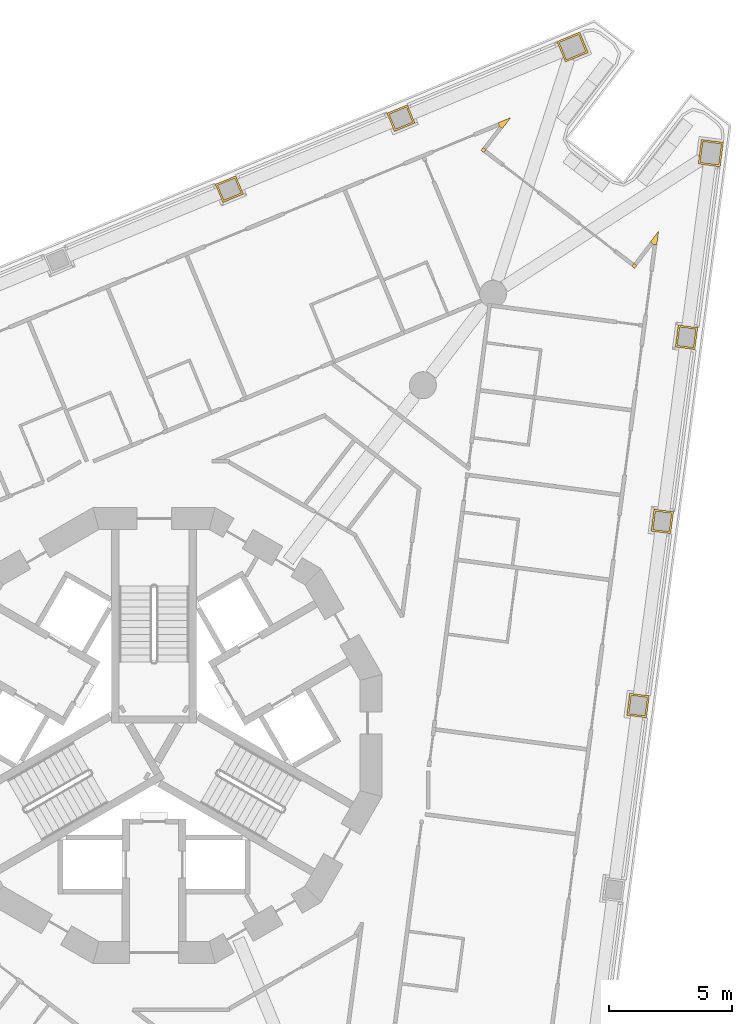
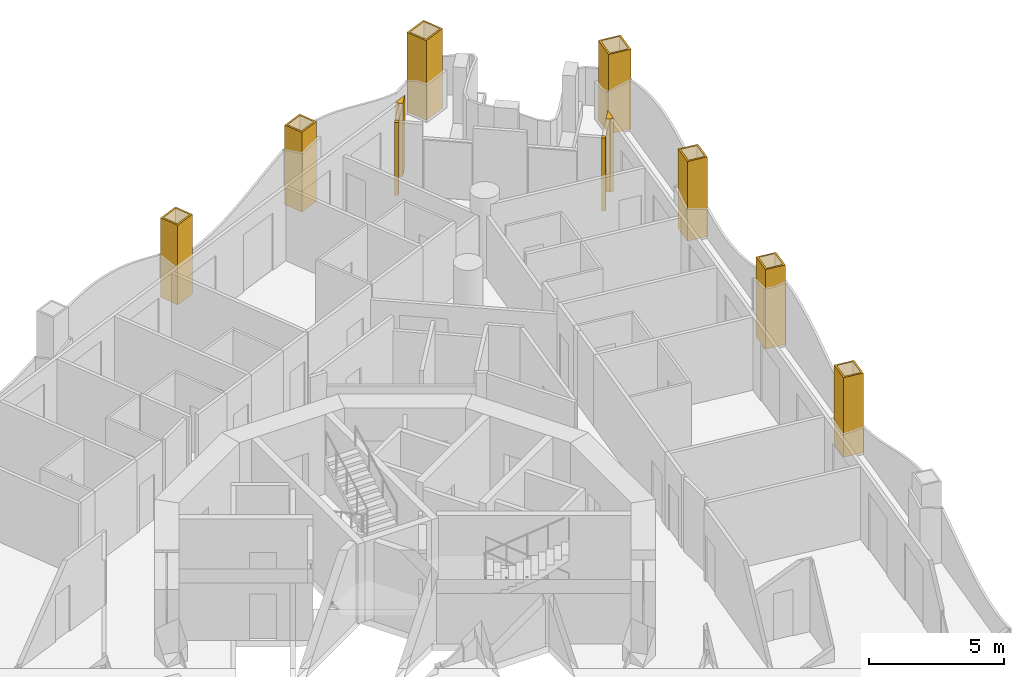
# One storey, part 17 of 18: 11 coverings.
"""IFC4 building model written with IfcOpenShell, lengths in metres."""

from ifc_helpers import new_model, si_unit, direction, frame, origin, place, context, subcontext, project, spatial, polyline, outline, extrude, material, layer, layer_set, type_object, element, save


model = new_model("IFC4")

# Units and contexts
model_context = context("Model", 3, precision=1e-05, world=origin(), true_north=direction((0.0, 1.0)))
body_context = subcontext(model_context, "Body", "Model", "MODEL_VIEW")
ifc_project = project(units=[si_unit("LENGTHUNIT", "METRE"), si_unit("AREAUNIT", "SQUARE_METRE"), si_unit("VOLUMEUNIT", "CUBIC_METRE"), si_unit("PLANEANGLEUNIT", "RADIAN"), si_unit("MASSUNIT", "GRAM", prefix="KILO")], contexts=[model_context])

# Site, building, storey
site_placement = place(None, origin())
site = spatial("IfcSite", under=ifc_project, at=site_placement, CompositionType="ELEMENT")
building_placement = place(site_placement, origin())
building = spatial("IfcBuilding", under=site, at=building_placement, Name="Trine Commons Tower", CompositionType="ELEMENT")
storey_placement = place(building_placement, frame((0.0, 0.0, 142.199951171875)))
storey = spatial("IfcBuildingStorey", under=building, at=storey_placement, Name="L36", CompositionType="ELEMENT", Elevation=142.199951171875)

# Coverings
ifc_material_1 = material(Name="Aluminium-framed insulated wall panel", Category="aluminium")
ifc_layer_1 = layer(ifc_material_1, 0.14990234375)
ifc_layer_set_1 = layer_set([ifc_layer_1], Name="Aluminium-framed insulated wall panel")
covering_type_1 = type_object("IfcCoveringType", Name="Glazing corner post, aluminium", PredefinedType="CLADDING", material=ifc_layer_set_1)
covering_1_placement = place(storey_placement, origin())
element("IfcCovering", 1, at=covering_1_placement, inside=storey, type_object=covering_type_1, Name="Glazing corner post 4-05", PredefinedType="CLADDING", context=body_context, shape_type="SweptSolid", body=[
    extrude(outline(polyline([(94.04248046875, 87.272705078125), (94.04248046875, 87.272705078125), (94.16162109375, 87.181396484375), (94.50244140625, 87.62548828125), (93.985107421875, 87.411376953125), (94.04248046875, 87.272705078125)])), origin(), (0.0, 0.0, 1.0), 3.300048828125),
])
covering_2_placement = place(storey_placement, origin())
element("IfcCovering", 2, at=covering_2_placement, inside=storey, type_object=covering_type_1, Name="Glazing corner post 4-06", PredefinedType="CLADDING", context=body_context, shape_type="SweptSolid", body=[
    extrude(outline(polyline([(93.4091796875, 86.201171875), (93.50048828125, 86.320068359375), (93.381591796875, 86.411376953125), (93.290283203125, 86.29248046875), (93.4091796875, 86.201171875)])), origin(), (0.0, 0.0, 1.0), 3.300048828125),
])
covering_3_placement = place(storey_placement, origin())
element("IfcCovering", 3, at=covering_3_placement, inside=storey, type_object=covering_type_1, Name="Glazing corner post 4-07", PredefinedType="CLADDING", context=body_context, shape_type="SweptSolid", body=[
    extrude(outline(polyline([(99.4228515625, 81.586669921875), (99.5419921875, 81.495361328125), (99.63330078125, 81.614501953125), (99.514404296875, 81.705810546875), (99.4228515625, 81.586669921875)])), origin(), (0.0, 0.0, 1.0), 3.300048828125),
])
covering_4_placement = place(storey_placement, origin())
element("IfcCovering", 4, at=covering_4_placement, inside=storey, type_object=covering_type_1, Name="Glazing corner post 4-08", PredefinedType="CLADDING", context=body_context, shape_type="SweptSolid", body=[
    extrude(outline(polyline([(100.44287109375, 82.456298828125), (100.51611328125, 83.01123046875), (100.17529296875, 82.567138671875), (100.294189453125, 82.475830078125), (100.44287109375, 82.456298828125)])), origin(), (0.0, 0.0, 1.0), 3.300048828125),
])
ifc_material_2 = material(Name="Limestone, honed", Category="masonry")
ifc_layer_2 = layer(ifc_material_2, 0.074951171875)
ifc_layer_set_2 = layer_set([ifc_layer_2], Name="Limestone, honed")
covering_type_2 = type_object("IfcCoveringType", Name="Limestone column cladding 75", PredefinedType="CLADDING", material=ifc_layer_set_2)
covering_5_placement = place(storey_placement, origin())
element("IfcCovering", 5, at=covering_5_placement, inside=storey, type_object=covering_type_2, Name="Limestone pier cladding 4-14", PredefinedType="CLADDING", context=body_context, shape_type="SweptSolid", body=[
    extrude(outline(polyline([(83.62841796875, 84.517822265625), (83.322265625, 85.2568359375), (82.49072265625, 84.912353515625), (82.796875, 84.17333984375), (83.62841796875, 84.517822265625)]), holes=[polyline([(83.5302734375, 84.558349609375), (83.281494140625, 85.158935546875), (82.588623046875, 84.871826171875), (82.83740234375, 84.271240234375), (83.5302734375, 84.558349609375)])]), origin(), (0.0, 0.0, 1.0), 3.60009765625),
])
covering_6_placement = place(storey_placement, origin())
element("IfcCovering", 6, at=covering_6_placement, inside=storey, type_object=covering_type_2, Name="Limestone pier cladding 4-15", PredefinedType="CLADDING", context=body_context, shape_type="SweptSolid", body=[
    extrude(outline(polyline([(90.60546875, 87.40771484375), (90.29931640625, 88.14697265625), (89.4677734375, 87.802490234375), (89.77392578125, 87.063232421875), (90.60546875, 87.40771484375)]), holes=[polyline([(90.50732421875, 87.4482421875), (90.2587890625, 88.048828125), (89.56591796875, 87.761962890625), (89.814453125, 87.161376953125), (90.50732421875, 87.4482421875)])]), origin(), (0.0, 0.0, 1.0), 3.60009765625),
])
covering_7_placement = place(storey_placement, origin())
element("IfcCovering", 7, at=covering_7_placement, inside=storey, type_object=covering_type_2, Name="Limestone pier cladding 4-16", PredefinedType="CLADDING", context=body_context, shape_type="SweptSolid", body=[
    extrude(outline(polyline([(97.647705078125, 90.270751953125), (97.30322265625, 91.102294921875), (96.37939453125, 90.719482421875), (96.723876953125, 89.887939453125), (97.647705078125, 90.270751953125)]), holes=[polyline([(97.5498046875, 90.311279296875), (97.2626953125, 91.004150390625), (96.477294921875, 90.678955078125), (96.764404296875, 89.986083984375), (97.5498046875, 90.311279296875)])]), origin(), (0.0, 0.0, 1.0), 3.60009765625),
])
covering_8_placement = place(storey_placement, origin())
element("IfcCovering", 8, at=covering_8_placement, inside=storey, type_object=covering_type_2, Name="Limestone pier cladding 4-17", PredefinedType="CLADDING", context=body_context, shape_type="SweptSolid", body=[
    extrude(outline(polyline([(103.149169921875, 86.61669921875), (102.2568359375, 86.734130859375), (102.126220703125, 85.74267578125), (103.0185546875, 85.625), (103.149169921875, 86.61669921875)]), holes=[polyline([(103.06494140625, 86.552001953125), (102.3212890625, 86.64990234375), (102.21044921875, 85.80712890625), (102.9541015625, 85.709228515625), (103.06494140625, 86.552001953125)])]), origin(), (0.0, 0.0, 1.0), 3.60009765625),
])
covering_9_placement = place(storey_placement, origin())
element("IfcCovering", 9, at=covering_9_placement, inside=storey, type_object=covering_type_2, Name="Limestone pier cladding 4-18", PredefinedType="CLADDING", context=body_context, shape_type="SweptSolid", body=[
    extrude(outline(polyline([(102.107421875, 79.086181640625), (101.314208984375, 79.190673828125), (101.19677734375, 78.29833984375), (101.98974609375, 78.19384765625), (102.107421875, 79.086181640625)]), holes=[polyline([(102.023193359375, 79.021484375), (101.378662109375, 79.1064453125), (101.28076171875, 78.36279296875), (101.92529296875, 78.278076171875), (102.023193359375, 79.021484375)])]), origin(), (0.0, 0.0, 1.0), 3.60009765625),
])
covering_10_placement = place(storey_placement, origin())
element("IfcCovering", 10, at=covering_10_placement, inside=storey, type_object=covering_type_2, Name="Limestone pier cladding 4-19", PredefinedType="CLADDING", context=body_context, shape_type="SweptSolid", body=[
    extrude(outline(polyline([(101.12158203125, 71.598876953125), (100.328369140625, 71.703369140625), (100.2109375, 70.81103515625), (101.00390625, 70.70654296875), (101.12158203125, 71.598876953125)]), holes=[polyline([(101.037353515625, 71.5341796875), (100.392822265625, 71.619140625), (100.294921875, 70.87548828125), (100.939453125, 70.790771484375), (101.037353515625, 71.5341796875)])]), origin(), (0.0, 0.0, 1.0), 3.60009765625),
])
covering_11_placement = place(storey_placement, origin())
element("IfcCovering", 11, at=covering_11_placement, inside=storey, type_object=covering_type_2, Name="Limestone pier cladding 4-20", PredefinedType="CLADDING", context=body_context, shape_type="SweptSolid", body=[
    extrude(outline(polyline([(100.1357421875, 64.111572265625), (99.3427734375, 64.216064453125), (99.22509765625, 63.32373046875), (100.018310546875, 63.21923828125), (100.1357421875, 64.111572265625)]), holes=[polyline([(100.0517578125, 64.047119140625), (99.4072265625, 64.1318359375), (99.309326171875, 63.38818359375), (99.953857421875, 63.303466796875), (100.0517578125, 64.047119140625)])]), origin(), (0.0, 0.0, 1.0), 3.60009765625),
])

save(model, "model.ifc")
